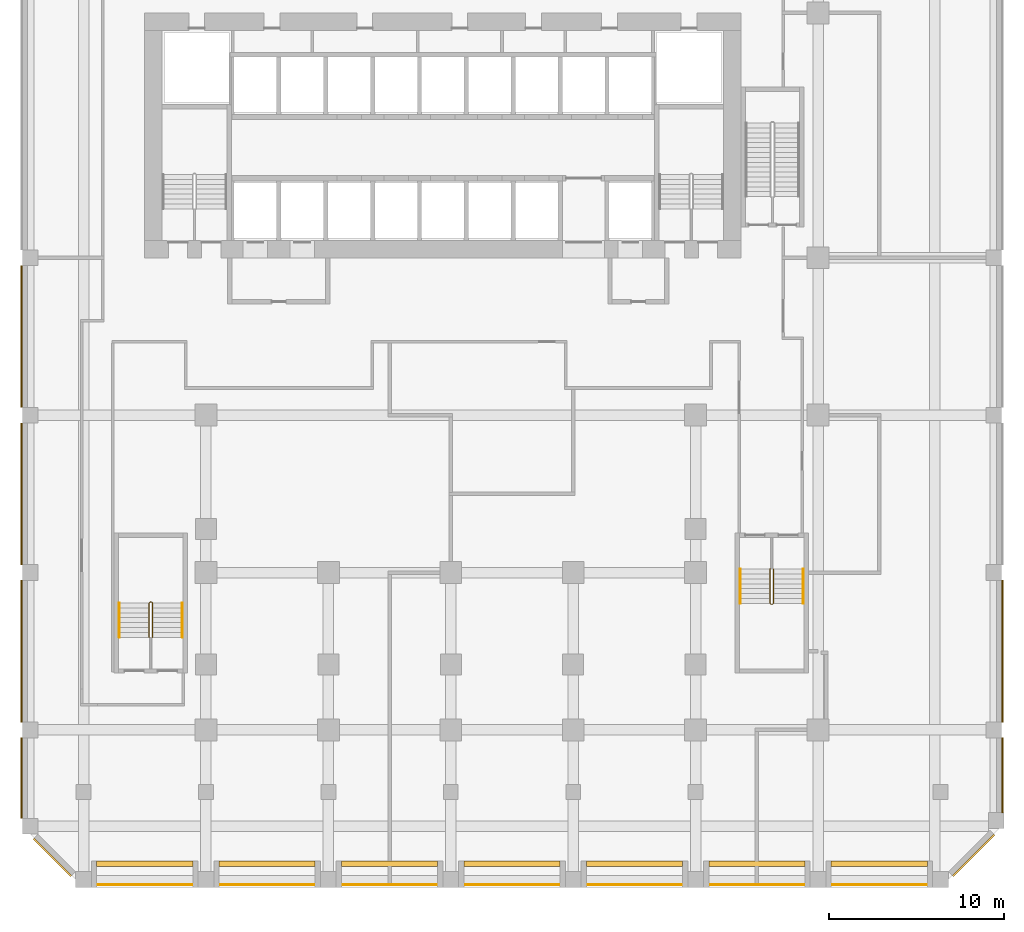
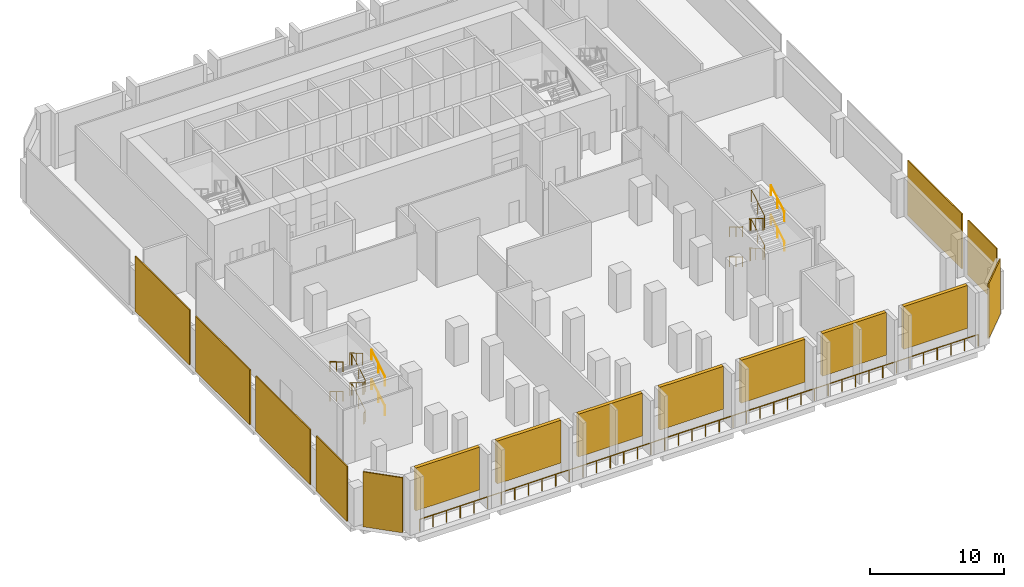
# One storey, part 8 of 10: 15 shading devices, 11 railings.
"""IFC4 building model written with IfcOpenShell, lengths in metres."""

from ifc_helpers import new_model, si_unit, direction, frame, origin, origin_2d, place, context, subcontext, project, spatial, rectangle, circle, extrude, source, transform, mapped, material, layer, layer_set, type_object, element, save


model = new_model("IFC4")

# Units and contexts
model_context = context("Model", 3, precision=1e-05, world=origin(), true_north=direction((0.0, 1.0)))
body_context = subcontext(model_context, "Body", "Model", "MODEL_VIEW")
ifc_project = project(units=[si_unit("LENGTHUNIT", "METRE"), si_unit("AREAUNIT", "SQUARE_METRE"), si_unit("VOLUMEUNIT", "CUBIC_METRE"), si_unit("PLANEANGLEUNIT", "RADIAN"), si_unit("MASSUNIT", "GRAM", prefix="KILO")], contexts=[model_context])

# Site, building, storey
site_placement = place(None, origin())
site = spatial("IfcSite", under=ifc_project, at=site_placement, CompositionType="ELEMENT")
building_placement = place(site_placement, origin())
building = spatial("IfcBuilding", under=site, at=building_placement, Name="Kilnfold Tower and Market Hall", CompositionType="ELEMENT")
storey_placement = place(building_placement, frame((0.0, 0.0, 95.199951171875)))
storey = spatial("IfcBuildingStorey", under=building, at=storey_placement, Name="L22 Refuge Transfer Level", CompositionType="ELEMENT", Elevation=95.199951171875)

# Railings
ifc_material_1 = material(Name="Stainless steel 316", Category="steel")
railing_type_1 = type_object("IfcRailingType", Name="CORE STAIR GUARD 1100", PredefinedType="GUARDRAIL", material=ifc_material_1)
railing_1_placement = place(storey_placement, frame((-15.699951171875, -13.75, 0.0)))
element("IfcRailing", 1, at=railing_1_placement, inside=storey, type_object=railing_type_1, Name="L22 Refuge Transfer Level ST3 stair guard 1", PredefinedType="GUARDRAIL", context=body_context, shape_type="SweptSolid", body=[
    extrude(circle(Radius=0.02392578125, at=origin_2d()), frame((0.0, 0.0, 1.076171875), z_axis=(1.0, 0.0, 0.0), x_axis=(0.0, 1.0, 0.0)), (0.0, 0.0, 1.0), 0.099853515625),
    extrude(circle(Radius=0.02392578125, at=origin_2d()), frame((0.099853515625, 0.0, 1.076171875), z_axis=(0.273232802156, 0.273232802156, 0.922327312645), x_axis=(-0.707106781187, 0.707106781187, 0.0)), (0.0, 0.0, 1.0), 0.18310546875),
    extrude(circle(Radius=0.02392578125, at=origin_2d()), frame((0.14990234375, 0.050048828125, 1.2451171875), z_axis=(0.0, 0.856493463811, 0.516157869696), x_axis=(-1.0, 0.0, 0.0)), (0.0, 0.0, 1.0), 2.288330078125),
    extrude(circle(Radius=0.02392578125, at=origin_2d()), frame((0.14990234375, 2.010009765625, 2.42626953125), z_axis=(-0.707106781187, 0.707106781187, 0.0), x_axis=(-0.707106781187, -0.707106781187, 0.0)), (0.0, 0.0, 1.0), 0.07080078125),
    extrude(circle(Radius=0.02392578125, at=origin_2d()), frame((0.099853515625, 2.06005859375, 2.42626953125), z_axis=(-1.0, 0.0, 0.0), x_axis=(0.0, -1.0, 0.0)), (0.0, 0.0, 1.0), 0.099853515625),
    extrude(circle(Radius=0.02392578125, at=origin_2d()), frame((0.0, 2.06005859375, 2.42626953125), z_axis=(-0.273569069059, -0.273569069059, 0.922127935218), x_axis=(0.707106781187, -0.707106781187, 0.0)), (0.0, 0.0, 1.0), 0.182861328125),
    extrude(circle(Radius=0.02392578125, at=origin_2d()), frame((-0.050048828125, 2.010009765625, 2.5947265625), z_axis=(0.0, -0.856493463811, 0.516157869696), x_axis=(1.0, 0.0, 0.0)), (0.0, 0.0, 1.0), 2.288330078125),
    extrude(circle(Radius=0.02392578125, at=origin_2d()), frame((-0.050048828125, 0.050048828125, 3.77587890625), z_axis=(0.707106781187, -0.707106781187, 0.0), x_axis=(0.707106781187, 0.707106781187, 0.0)), (0.0, 0.0, 1.0), 0.07080078125),
    extrude(circle(Radius=0.02392578125, at=origin_2d()), frame((0.0, 0.0, 3.77587890625), z_axis=(1.0, 0.0, 0.0), x_axis=(0.0, 1.0, 0.0)), (0.0, 0.0, 1.0), 0.099853515625),
    extrude(circle(Radius=0.02392578125, at=origin_2d()), frame((0.099853515625, 0.0, 3.77587890625), z_axis=(0.273569069059, 0.273569069059, 0.922127935218), x_axis=(-0.707106781187, 0.707106781187, 0.0)), (0.0, 0.0, 1.0), 0.182861328125),
    extrude(circle(Radius=0.02392578125, at=origin_2d()), frame((0.14990234375, 0.050048828125, 3.94482421875), z_axis=(0.0, 0.856446297458, 0.516236127728), x_axis=(-1.0, 0.0, 0.0)), (0.0, 0.0, 1.0), 2.28857421875),
    extrude(circle(Radius=0.02392578125, at=origin_2d()), frame((0.14990234375, 2.010009765625, 5.1259765625), z_axis=(-0.707106781187, 0.707106781187, 0.0), x_axis=(-0.707106781187, -0.707106781187, 0.0)), (0.0, 0.0, 1.0), 0.07080078125),
    extrude(circle(Radius=0.02392578125, at=origin_2d()), frame((0.099853515625, 2.06005859375, 5.1259765625), z_axis=(-1.0, 0.0, 0.0), x_axis=(0.0, -1.0, 0.0)), (0.0, 0.0, 1.0), 0.099853515625),
    extrude(circle(Radius=0.02392578125, at=origin_2d()), frame((0.0, 2.06005859375, 5.1259765625), z_axis=(-0.273569069059, -0.273569069059, 0.922127935218), x_axis=(0.707106781187, -0.707106781187, 0.0)), (0.0, 0.0, 1.0), 0.182861328125),
    extrude(circle(Radius=0.02392578125, at=origin_2d()), frame((-0.050048828125, 2.010009765625, 5.294921875), z_axis=(0.0, -0.856446297458, 0.516236127728), x_axis=(1.0, 0.0, 0.0)), (0.0, 0.0, 1.0), 2.28857421875),
    extrude(circle(Radius=0.02099609375, at=origin_2d()), origin(), (0.0, 0.0, 1.0), 1.052001953125),
    extrude(circle(Radius=0.02099609375, at=origin_2d()), frame((0.099853515625, 0.0, 0.0)), (0.0, 0.0, 1.0), 1.052001953125),
    extrude(circle(Radius=0.02099609375, at=origin_2d()), frame((0.14990234375, 0.050048828125, 0.1689453125)), (0.0, 0.0, 1.0), 1.052001953125),
    extrude(circle(Radius=0.02099609375, at=origin_2d()), frame((0.14990234375, 1.030029296875, 0.759521484375)), (0.0, 0.0, 1.0), 1.052001953125),
    extrude(circle(Radius=0.02099609375, at=origin_2d()), frame((0.14990234375, 2.010009765625, 1.35009765625)), (0.0, 0.0, 1.0), 1.052001953125),
    extrude(circle(Radius=0.02099609375, at=origin_2d()), frame((0.099853515625, 2.06005859375, 1.35009765625)), (0.0, 0.0, 1.0), 1.052001953125),
    extrude(circle(Radius=0.02099609375, at=origin_2d()), frame((0.0, 2.06005859375, 1.35009765625)), (0.0, 0.0, 1.0), 1.052001953125),
    extrude(circle(Radius=0.02099609375, at=origin_2d()), frame((-0.050048828125, 2.010009765625, 1.518798828125)), (0.0, 0.0, 1.0), 1.052001953125),
    extrude(circle(Radius=0.02099609375, at=origin_2d()), frame((-0.050048828125, 1.030029296875, 2.109375)), (0.0, 0.0, 1.0), 1.052001953125),
    extrude(circle(Radius=0.02099609375, at=origin_2d()), frame((-0.050048828125, 0.050048828125, 2.699951171875)), (0.0, 0.0, 1.0), 1.052001953125),
    extrude(circle(Radius=0.02099609375, at=origin_2d()), frame((0.0, 0.0, 2.699951171875)), (0.0, 0.0, 1.0), 1.052001953125),
    extrude(circle(Radius=0.02099609375, at=origin_2d()), frame((0.099853515625, 0.0, 2.699951171875)), (0.0, 0.0, 1.0), 1.052001953125),
    extrude(circle(Radius=0.02099609375, at=origin_2d()), frame((0.14990234375, 0.050048828125, 2.86865234375)), (0.0, 0.0, 1.0), 1.052001953125),
    extrude(circle(Radius=0.02099609375, at=origin_2d()), frame((0.14990234375, 1.030029296875, 3.45947265625)), (0.0, 0.0, 1.0), 1.052001953125),
    extrude(circle(Radius=0.02099609375, at=origin_2d()), frame((0.14990234375, 2.010009765625, 4.050048828125)), (0.0, 0.0, 1.0), 1.052001953125),
    extrude(circle(Radius=0.02099609375, at=origin_2d()), frame((0.099853515625, 2.06005859375, 4.050048828125)), (0.0, 0.0, 1.0), 1.052001953125),
    extrude(circle(Radius=0.02099609375, at=origin_2d()), frame((0.0, 2.06005859375, 4.050048828125)), (0.0, 0.0, 1.0), 1.052001953125),
    extrude(circle(Radius=0.02099609375, at=origin_2d()), frame((-0.050048828125, 2.010009765625, 4.21875)), (0.0, 0.0, 1.0), 1.052001953125),
    extrude(circle(Radius=0.02099609375, at=origin_2d()), frame((-0.050048828125, 1.030029296875, 4.8095703125)), (0.0, 0.0, 1.0), 1.052001953125),
    extrude(circle(Radius=0.02099609375, at=origin_2d()), frame((-0.050048828125, 0.050048828125, 5.400146484375)), (0.0, 0.0, 1.0), 1.052001953125),
])
railing_2_placement = place(storey_placement, frame((19.89990234375, -9.75, 0.0)))
element("IfcRailing", 2, at=railing_2_placement, inside=storey, type_object=railing_type_1, Name="L22 Refuge Transfer Level ST4 stair guard 1", PredefinedType="GUARDRAIL", context=body_context, shape_type="SweptSolid", body=[
    extrude(circle(Radius=0.02392578125, at=origin_2d()), frame((0.0, 0.0, 1.076171875), z_axis=(-1.0, 0.0, 0.0), x_axis=(0.0, -1.0, 0.0)), (0.0, 0.0, 1.0), 0.099853515625),
    extrude(circle(Radius=0.02392578125, at=origin_2d()), frame((-0.099853515625, 0.0, 1.076171875), z_axis=(-0.273232802156, -0.273232802156, 0.922327312645), x_axis=(0.707106781187, -0.707106781187, 0.0)), (0.0, 0.0, 1.0), 0.18310546875),
    extrude(circle(Radius=0.02392578125, at=origin_2d()), frame((-0.14990234375, -0.050048828125, 1.2451171875), z_axis=(0.0, -0.856493463811, 0.516157869696), x_axis=(1.0, 0.0, 0.0)), (0.0, 0.0, 1.0), 2.288330078125),
    extrude(circle(Radius=0.02392578125, at=origin_2d()), frame((-0.14990234375, -2.010009765625, 2.42626953125), z_axis=(0.707106781187, -0.707106781187, 0.0), x_axis=(0.707106781187, 0.707106781187, 0.0)), (0.0, 0.0, 1.0), 0.07080078125),
    extrude(circle(Radius=0.02392578125, at=origin_2d()), frame((-0.099853515625, -2.06005859375, 2.42626953125), z_axis=(1.0, 0.0, 0.0), x_axis=(0.0, 1.0, 0.0)), (0.0, 0.0, 1.0), 0.099853515625),
    extrude(circle(Radius=0.02392578125, at=origin_2d()), frame((0.0, -2.06005859375, 2.42626953125), z_axis=(0.273569069059, 0.273569069059, 0.922127935218), x_axis=(-0.707106781187, 0.707106781187, 0.0)), (0.0, 0.0, 1.0), 0.182861328125),
    extrude(circle(Radius=0.02392578125, at=origin_2d()), frame((0.050048828125, -2.010009765625, 2.5947265625), z_axis=(0.0, 0.856493463811, 0.516157869696), x_axis=(-1.0, 0.0, 0.0)), (0.0, 0.0, 1.0), 2.288330078125),
    extrude(circle(Radius=0.02392578125, at=origin_2d()), frame((0.050048828125, -0.050048828125, 3.77587890625), z_axis=(-0.707106781187, 0.707106781187, 0.0), x_axis=(-0.707106781187, -0.707106781187, 0.0)), (0.0, 0.0, 1.0), 0.07080078125),
    extrude(circle(Radius=0.02392578125, at=origin_2d()), frame((0.0, 0.0, 3.77587890625), z_axis=(-1.0, 0.0, 0.0), x_axis=(0.0, -1.0, 0.0)), (0.0, 0.0, 1.0), 0.099853515625),
    extrude(circle(Radius=0.02392578125, at=origin_2d()), frame((-0.099853515625, 0.0, 3.77587890625), z_axis=(-0.273569069059, -0.273569069059, 0.922127935218), x_axis=(0.707106781187, -0.707106781187, 0.0)), (0.0, 0.0, 1.0), 0.182861328125),
    extrude(circle(Radius=0.02392578125, at=origin_2d()), frame((-0.14990234375, -0.050048828125, 3.94482421875), z_axis=(0.0, -0.856446297458, 0.516236127728), x_axis=(1.0, 0.0, 0.0)), (0.0, 0.0, 1.0), 2.28857421875),
    extrude(circle(Radius=0.02392578125, at=origin_2d()), frame((-0.14990234375, -2.010009765625, 5.1259765625), z_axis=(0.707106781187, -0.707106781187, 0.0), x_axis=(0.707106781187, 0.707106781187, 0.0)), (0.0, 0.0, 1.0), 0.07080078125),
    extrude(circle(Radius=0.02392578125, at=origin_2d()), frame((-0.099853515625, -2.06005859375, 5.1259765625), z_axis=(1.0, 0.0, 0.0), x_axis=(0.0, 1.0, 0.0)), (0.0, 0.0, 1.0), 0.099853515625),
    extrude(circle(Radius=0.02392578125, at=origin_2d()), frame((0.0, -2.06005859375, 5.1259765625), z_axis=(0.273569069059, 0.273569069059, 0.922127935218), x_axis=(-0.707106781187, 0.707106781187, 0.0)), (0.0, 0.0, 1.0), 0.182861328125),
    extrude(circle(Radius=0.02392578125, at=origin_2d()), frame((0.050048828125, -2.010009765625, 5.294921875), z_axis=(0.0, 0.856446297458, 0.516236127728), x_axis=(-1.0, 0.0, 0.0)), (0.0, 0.0, 1.0), 2.28857421875),
    extrude(circle(Radius=0.02099609375, at=origin_2d()), origin(), (0.0, 0.0, 1.0), 1.052001953125),
    extrude(circle(Radius=0.02099609375, at=origin_2d()), frame((-0.099853515625, 0.0, 0.0)), (0.0, 0.0, 1.0), 1.052001953125),
    extrude(circle(Radius=0.02099609375, at=origin_2d()), frame((-0.14990234375, -0.050048828125, 0.1689453125)), (0.0, 0.0, 1.0), 1.052001953125),
    extrude(circle(Radius=0.02099609375, at=origin_2d()), frame((-0.14990234375, -1.030029296875, 0.759521484375)), (0.0, 0.0, 1.0), 1.052001953125),
    extrude(circle(Radius=0.02099609375, at=origin_2d()), frame((-0.14990234375, -2.010009765625, 1.35009765625)), (0.0, 0.0, 1.0), 1.052001953125),
    extrude(circle(Radius=0.02099609375, at=origin_2d()), frame((-0.099853515625, -2.06005859375, 1.35009765625)), (0.0, 0.0, 1.0), 1.052001953125),
    extrude(circle(Radius=0.02099609375, at=origin_2d()), frame((0.0, -2.06005859375, 1.35009765625)), (0.0, 0.0, 1.0), 1.052001953125),
    extrude(circle(Radius=0.02099609375, at=origin_2d()), frame((0.050048828125, -2.010009765625, 1.518798828125)), (0.0, 0.0, 1.0), 1.052001953125),
    extrude(circle(Radius=0.02099609375, at=origin_2d()), frame((0.050048828125, -1.030029296875, 2.109375)), (0.0, 0.0, 1.0), 1.052001953125),
    extrude(circle(Radius=0.02099609375, at=origin_2d()), frame((0.050048828125, -0.050048828125, 2.699951171875)), (0.0, 0.0, 1.0), 1.052001953125),
    extrude(circle(Radius=0.02099609375, at=origin_2d()), frame((0.0, 0.0, 2.699951171875)), (0.0, 0.0, 1.0), 1.052001953125),
    extrude(circle(Radius=0.02099609375, at=origin_2d()), frame((-0.099853515625, 0.0, 2.699951171875)), (0.0, 0.0, 1.0), 1.052001953125),
    extrude(circle(Radius=0.02099609375, at=origin_2d()), frame((-0.14990234375, -0.050048828125, 2.86865234375)), (0.0, 0.0, 1.0), 1.052001953125),
    extrude(circle(Radius=0.02099609375, at=origin_2d()), frame((-0.14990234375, -1.030029296875, 3.45947265625)), (0.0, 0.0, 1.0), 1.052001953125),
    extrude(circle(Radius=0.02099609375, at=origin_2d()), frame((-0.14990234375, -2.010009765625, 4.050048828125)), (0.0, 0.0, 1.0), 1.052001953125),
    extrude(circle(Radius=0.02099609375, at=origin_2d()), frame((-0.099853515625, -2.06005859375, 4.050048828125)), (0.0, 0.0, 1.0), 1.052001953125),
    extrude(circle(Radius=0.02099609375, at=origin_2d()), frame((0.0, -2.06005859375, 4.050048828125)), (0.0, 0.0, 1.0), 1.052001953125),
    extrude(circle(Radius=0.02099609375, at=origin_2d()), frame((0.050048828125, -2.010009765625, 4.21875)), (0.0, 0.0, 1.0), 1.052001953125),
    extrude(circle(Radius=0.02099609375, at=origin_2d()), frame((0.050048828125, -1.030029296875, 4.8095703125)), (0.0, 0.0, 1.0), 1.052001953125),
    extrude(circle(Radius=0.02099609375, at=origin_2d()), frame((0.050048828125, -0.050048828125, 5.400146484375)), (0.0, 0.0, 1.0), 1.052001953125),
])
ifc_material_2 = material(Name="Stainless steel 316", Category="steel")
railing_type_2 = type_object("IfcRailingType", Name="CORE STAIR HANDRAIL 900", PredefinedType="HANDRAIL", material=ifc_material_2)
railing_3_placement = place(storey_placement, frame((-13.85009765625, -13.699951171875, 0.1689453125)))
element("IfcRailing", 3, at=railing_3_placement, inside=storey, type_object=railing_type_2, Name="L22 Refuge Transfer Level ST3 stair handrail 1", PredefinedType="HANDRAIL", context=body_context, shape_type="SweptSolid", body=[
    extrude(circle(Radius=0.02392578125, at=origin_2d()), frame((0.0, 0.0, 0.8759765625), z_axis=(0.0, 0.856493463811, 0.516157869696), x_axis=(-1.0, 0.0, 0.0)), (0.0, 0.0, 1.0), 2.288330078125),
    extrude(circle(Radius=0.02099609375, at=origin_2d()), origin(), (0.0, 0.0, 1.0), 0.851806640625),
    extrude(circle(Radius=0.02099609375, at=origin_2d()), frame((0.0, 0.97998046875, 0.590576171875)), (0.0, 0.0, 1.0), 0.851806640625),
    extrude(circle(Radius=0.02099609375, at=origin_2d()), frame((0.0, 1.9599609375, 1.18115234375)), (0.0, 0.0, 1.0), 0.851806640625),
])
railing_4_placement = place(storey_placement, frame((-17.449951171875, -11.739990234375, 1.518798828125)))
element("IfcRailing", 4, at=railing_4_placement, inside=storey, type_object=railing_type_2, Name="L22 Refuge Transfer Level ST3 stair handrail 2", PredefinedType="HANDRAIL", context=body_context, shape_type="SweptSolid", body=[
    extrude(circle(Radius=0.02392578125, at=origin_2d()), frame((0.0, 0.0, 0.8759765625), z_axis=(0.0, -0.856493463811, 0.516157869696), x_axis=(1.0, 0.0, 0.0)), (0.0, 0.0, 1.0), 2.288330078125),
    extrude(circle(Radius=0.02099609375, at=origin_2d()), origin(), (0.0, 0.0, 1.0), 0.851806640625),
    extrude(circle(Radius=0.02099609375, at=origin_2d()), frame((0.0, -0.97998046875, 0.590576171875)), (0.0, 0.0, 1.0), 0.851806640625),
    extrude(circle(Radius=0.02099609375, at=origin_2d()), frame((0.0, -1.9599609375, 1.18115234375)), (0.0, 0.0, 1.0), 0.851806640625),
])
railing_5_placement = place(storey_placement, frame((-13.85009765625, -13.699951171875, 2.86865234375)))
element("IfcRailing", 5, at=railing_5_placement, inside=storey, type_object=railing_type_2, Name="L22 Refuge Transfer Level ST3 stair handrail 3", PredefinedType="HANDRAIL", context=body_context, shape_type="SweptSolid", body=[
    extrude(circle(Radius=0.02392578125, at=origin_2d()), frame((0.0, 0.0, 0.8759765625), z_axis=(0.0, 0.856446297458, 0.516236127728), x_axis=(-1.0, 0.0, 0.0)), (0.0, 0.0, 1.0), 2.28857421875),
    extrude(circle(Radius=0.02099609375, at=origin_2d()), origin(), (0.0, 0.0, 1.0), 0.851806640625),
    extrude(circle(Radius=0.02099609375, at=origin_2d()), frame((0.0, 0.97998046875, 0.5908203125)), (0.0, 0.0, 1.0), 0.851806640625),
    extrude(circle(Radius=0.02099609375, at=origin_2d()), frame((0.0, 1.9599609375, 1.181396484375)), (0.0, 0.0, 1.0), 0.851806640625),
])
railing_6_placement = place(storey_placement, frame((-17.449951171875, -11.739990234375, 4.21875)))
element("IfcRailing", 6, at=railing_6_placement, inside=storey, type_object=railing_type_2, Name="L22 Refuge Transfer Level ST3 stair handrail 4", PredefinedType="HANDRAIL", context=body_context, shape_type="SweptSolid", body=[
    extrude(circle(Radius=0.02392578125, at=origin_2d()), frame((0.0, 0.0, 0.8759765625), z_axis=(0.0, -0.856446297458, 0.516236127728), x_axis=(1.0, 0.0, 0.0)), (0.0, 0.0, 1.0), 2.28857421875),
    extrude(circle(Radius=0.02099609375, at=origin_2d()), origin(), (0.0, 0.0, 1.0), 0.851806640625),
    extrude(circle(Radius=0.02099609375, at=origin_2d()), frame((0.0, -0.97998046875, 0.5908203125)), (0.0, 0.0, 1.0), 0.851806640625),
    extrude(circle(Radius=0.02099609375, at=origin_2d()), frame((0.0, -1.9599609375, 1.181396484375)), (0.0, 0.0, 1.0), 0.851806640625),
])
railing_7_placement = place(storey_placement, frame((18.050048828125, -9.800048828125, 0.1689453125)))
element("IfcRailing", 7, at=railing_7_placement, inside=storey, type_object=railing_type_2, Name="L22 Refuge Transfer Level ST4 stair handrail 1", PredefinedType="HANDRAIL", context=body_context, shape_type="SweptSolid", body=[
    extrude(circle(Radius=0.02392578125, at=origin_2d()), frame((0.0, 0.0, 0.8759765625), z_axis=(0.0, -0.856493463811, 0.516157869696), x_axis=(1.0, 0.0, 0.0)), (0.0, 0.0, 1.0), 2.288330078125),
    extrude(circle(Radius=0.02099609375, at=origin_2d()), origin(), (0.0, 0.0, 1.0), 0.851806640625),
    extrude(circle(Radius=0.02099609375, at=origin_2d()), frame((0.0, -0.97998046875, 0.590576171875)), (0.0, 0.0, 1.0), 0.851806640625),
    extrude(circle(Radius=0.02099609375, at=origin_2d()), frame((0.0, -1.9599609375, 1.18115234375)), (0.0, 0.0, 1.0), 0.851806640625),
])
railing_8_placement = place(storey_placement, frame((21.64990234375, -11.760009765625, 1.518798828125)))
element("IfcRailing", 8, at=railing_8_placement, inside=storey, type_object=railing_type_2, Name="L22 Refuge Transfer Level ST4 stair handrail 2", PredefinedType="HANDRAIL", context=body_context, shape_type="SweptSolid", body=[
    extrude(circle(Radius=0.02392578125, at=origin_2d()), frame((0.0, 0.0, 0.8759765625), z_axis=(0.0, 0.856493463811, 0.516157869696), x_axis=(-1.0, 0.0, 0.0)), (0.0, 0.0, 1.0), 2.288330078125),
    extrude(circle(Radius=0.02099609375, at=origin_2d()), origin(), (0.0, 0.0, 1.0), 0.851806640625),
    extrude(circle(Radius=0.02099609375, at=origin_2d()), frame((0.0, 0.97998046875, 0.590576171875)), (0.0, 0.0, 1.0), 0.851806640625),
    extrude(circle(Radius=0.02099609375, at=origin_2d()), frame((0.0, 1.9599609375, 1.18115234375)), (0.0, 0.0, 1.0), 0.851806640625),
])
railing_9_placement = place(storey_placement, frame((18.050048828125, -9.800048828125, 2.86865234375)))
element("IfcRailing", 9, at=railing_9_placement, inside=storey, type_object=railing_type_2, Name="L22 Refuge Transfer Level ST4 stair handrail 3", PredefinedType="HANDRAIL", context=body_context, shape_type="SweptSolid", body=[
    extrude(circle(Radius=0.02392578125, at=origin_2d()), frame((0.0, 0.0, 0.8759765625), z_axis=(0.0, -0.856446297458, 0.516236127728), x_axis=(1.0, 0.0, 0.0)), (0.0, 0.0, 1.0), 2.28857421875),
    extrude(circle(Radius=0.02099609375, at=origin_2d()), origin(), (0.0, 0.0, 1.0), 0.851806640625),
    extrude(circle(Radius=0.02099609375, at=origin_2d()), frame((0.0, -0.97998046875, 0.5908203125)), (0.0, 0.0, 1.0), 0.851806640625),
    extrude(circle(Radius=0.02099609375, at=origin_2d()), frame((0.0, -1.9599609375, 1.181396484375)), (0.0, 0.0, 1.0), 0.851806640625),
])
railing_10_placement = place(storey_placement, frame((21.64990234375, -11.760009765625, 4.21875)))
element("IfcRailing", 10, at=railing_10_placement, inside=storey, type_object=railing_type_2, Name="L22 Refuge Transfer Level ST4 stair handrail 4", PredefinedType="HANDRAIL", context=body_context, shape_type="SweptSolid", body=[
    extrude(circle(Radius=0.02392578125, at=origin_2d()), frame((0.0, 0.0, 0.8759765625), z_axis=(0.0, 0.856446297458, 0.516236127728), x_axis=(-1.0, 0.0, 0.0)), (0.0, 0.0, 1.0), 2.28857421875),
    extrude(circle(Radius=0.02099609375, at=origin_2d()), origin(), (0.0, 0.0, 1.0), 0.851806640625),
    extrude(circle(Radius=0.02099609375, at=origin_2d()), frame((0.0, 0.97998046875, 0.5908203125)), (0.0, 0.0, 1.0), 0.851806640625),
    extrude(circle(Radius=0.02099609375, at=origin_2d()), frame((0.0, 1.9599609375, 1.181396484375)), (0.0, 0.0, 1.0), 0.851806640625),
])
ifc_material_3 = material(Name="Stainless steel and laminated glass", Category="steel")
railing_type_3 = type_object("IfcRailingType", Name="GUARD 1100", PredefinedType="GUARDRAIL", material=ifc_material_3)
railing_11_placement = place(storey_placement, frame((-19.050048828125, -27.85009765625, 0.0)))
element("IfcRailing", 11, at=railing_11_placement, inside=storey, type_object=railing_type_3, Name="Guard plant edge S L22", PredefinedType="GUARDRAIL", context=body_context, shape_type="SweptSolid", body=[
    extrude(circle(Radius=0.02490234375, at=origin_2d()), frame((0.0, 0.0, 1.0751953125), z_axis=(1.0, 0.0, 0.0), x_axis=(0.0, 1.0, 0.0)), (0.0, 0.0, 1.0), 48.10009765625),
    extrude(circle(Radius=0.02490234375, at=origin_2d()), origin(), (0.0, 0.0, 1.0), 1.050048828125),
    extrude(circle(Radius=0.02490234375, at=origin_2d()), frame((1.173095703125, 0.0, 0.0)), (0.0, 0.0, 1.0), 1.050048828125),
    extrude(circle(Radius=0.02490234375, at=origin_2d()), frame((2.346435546875, 0.0, 0.0)), (0.0, 0.0, 1.0), 1.050048828125),
    extrude(circle(Radius=0.02490234375, at=origin_2d()), frame((3.51953125, 0.0, 0.0)), (0.0, 0.0, 1.0), 1.050048828125),
    extrude(circle(Radius=0.02490234375, at=origin_2d()), frame((4.692626953125, 0.0, 0.0)), (0.0, 0.0, 1.0), 1.050048828125),
    extrude(circle(Radius=0.02490234375, at=origin_2d()), frame((5.865966796875, 0.0, 0.0)), (0.0, 0.0, 1.0), 1.050048828125),
    extrude(circle(Radius=0.02490234375, at=origin_2d()), frame((7.0390625, 0.0, 0.0)), (0.0, 0.0, 1.0), 1.050048828125),
    extrude(circle(Radius=0.02490234375, at=origin_2d()), frame((8.212158203125, 0.0, 0.0)), (0.0, 0.0, 1.0), 1.050048828125),
    extrude(circle(Radius=0.02490234375, at=origin_2d()), frame((9.385498046875, 0.0, 0.0)), (0.0, 0.0, 1.0), 1.050048828125),
    extrude(circle(Radius=0.02490234375, at=origin_2d()), frame((10.55859375, 0.0, 0.0)), (0.0, 0.0, 1.0), 1.050048828125),
    extrude(circle(Radius=0.02490234375, at=origin_2d()), frame((11.731689453125, 0.0, 0.0)), (0.0, 0.0, 1.0), 1.050048828125),
    extrude(circle(Radius=0.02490234375, at=origin_2d()), frame((12.90478515625, 0.0, 0.0)), (0.0, 0.0, 1.0), 1.050048828125),
    extrude(circle(Radius=0.02490234375, at=origin_2d()), frame((14.078125, 0.0, 0.0)), (0.0, 0.0, 1.0), 1.050048828125),
    extrude(circle(Radius=0.02490234375, at=origin_2d()), frame((15.251220703125, 0.0, 0.0)), (0.0, 0.0, 1.0), 1.050048828125),
    extrude(circle(Radius=0.02490234375, at=origin_2d()), frame((16.42431640625, 0.0, 0.0)), (0.0, 0.0, 1.0), 1.050048828125),
    extrude(circle(Radius=0.02490234375, at=origin_2d()), frame((17.59765625, 0.0, 0.0)), (0.0, 0.0, 1.0), 1.050048828125),
    extrude(circle(Radius=0.02490234375, at=origin_2d()), frame((18.770751953125, 0.0, 0.0)), (0.0, 0.0, 1.0), 1.050048828125),
    extrude(circle(Radius=0.02490234375, at=origin_2d()), frame((19.94384765625, 0.0, 0.0)), (0.0, 0.0, 1.0), 1.050048828125),
    extrude(circle(Radius=0.02490234375, at=origin_2d()), frame((21.1171875, 0.0, 0.0)), (0.0, 0.0, 1.0), 1.050048828125),
    extrude(circle(Radius=0.02490234375, at=origin_2d()), frame((22.290283203125, 0.0, 0.0)), (0.0, 0.0, 1.0), 1.050048828125),
    extrude(circle(Radius=0.02490234375, at=origin_2d()), frame((23.46337890625, 0.0, 0.0)), (0.0, 0.0, 1.0), 1.050048828125),
    extrude(circle(Radius=0.02490234375, at=origin_2d()), frame((24.63671875, 0.0, 0.0)), (0.0, 0.0, 1.0), 1.050048828125),
    extrude(circle(Radius=0.02490234375, at=origin_2d()), frame((25.809814453125, 0.0, 0.0)), (0.0, 0.0, 1.0), 1.050048828125),
    extrude(circle(Radius=0.02490234375, at=origin_2d()), frame((26.98291015625, 0.0, 0.0)), (0.0, 0.0, 1.0), 1.050048828125),
    extrude(circle(Radius=0.02490234375, at=origin_2d()), frame((28.15625, 0.0, 0.0)), (0.0, 0.0, 1.0), 1.050048828125),
    extrude(circle(Radius=0.02490234375, at=origin_2d()), frame((29.329345703125, 0.0, 0.0)), (0.0, 0.0, 1.0), 1.050048828125),
    extrude(circle(Radius=0.02490234375, at=origin_2d()), frame((30.50244140625, 0.0, 0.0)), (0.0, 0.0, 1.0), 1.050048828125),
    extrude(circle(Radius=0.02490234375, at=origin_2d()), frame((31.67578125, 0.0, 0.0)), (0.0, 0.0, 1.0), 1.050048828125),
    extrude(circle(Radius=0.02490234375, at=origin_2d()), frame((32.848876953125, 0.0, 0.0)), (0.0, 0.0, 1.0), 1.050048828125),
    extrude(circle(Radius=0.02490234375, at=origin_2d()), frame((34.02197265625, 0.0, 0.0)), (0.0, 0.0, 1.0), 1.050048828125),
    extrude(circle(Radius=0.02490234375, at=origin_2d()), frame((35.1953125, 0.0, 0.0)), (0.0, 0.0, 1.0), 1.050048828125),
    extrude(circle(Radius=0.02490234375, at=origin_2d()), frame((36.368408203125, 0.0, 0.0)), (0.0, 0.0, 1.0), 1.050048828125),
    extrude(circle(Radius=0.02490234375, at=origin_2d()), frame((37.54150390625, 0.0, 0.0)), (0.0, 0.0, 1.0), 1.050048828125),
    extrude(circle(Radius=0.02490234375, at=origin_2d()), frame((38.714599609375, 0.0, 0.0)), (0.0, 0.0, 1.0), 1.050048828125),
    extrude(circle(Radius=0.02490234375, at=origin_2d()), frame((39.887939453125, 0.0, 0.0)), (0.0, 0.0, 1.0), 1.050048828125),
    extrude(circle(Radius=0.02490234375, at=origin_2d()), frame((41.06103515625, 0.0, 0.0)), (0.0, 0.0, 1.0), 1.050048828125),
    extrude(circle(Radius=0.02490234375, at=origin_2d()), frame((42.234130859375, 0.0, 0.0)), (0.0, 0.0, 1.0), 1.050048828125),
    extrude(circle(Radius=0.02490234375, at=origin_2d()), frame((43.407470703125, 0.0, 0.0)), (0.0, 0.0, 1.0), 1.050048828125),
    extrude(circle(Radius=0.02490234375, at=origin_2d()), frame((44.58056640625, 0.0, 0.0)), (0.0, 0.0, 1.0), 1.050048828125),
    extrude(circle(Radius=0.02490234375, at=origin_2d()), frame((45.753662109375, 0.0, 0.0)), (0.0, 0.0, 1.0), 1.050048828125),
    extrude(circle(Radius=0.02490234375, at=origin_2d()), frame((46.927001953125, 0.0, 0.0)), (0.0, 0.0, 1.0), 1.050048828125),
    extrude(circle(Radius=0.02490234375, at=origin_2d()), frame((48.10009765625, 0.0, 0.0)), (0.0, 0.0, 1.0), 1.050048828125),
])

# Shading devices
ifc_material_4 = material(Name="Anodised aluminium", Category="aluminium")
shading_device_type_1 = type_object("IfcShadingDeviceType", Name="LOUVRE", PredefinedType="JALOUSIE", material=ifc_material_4)
shared_shape_1 = source(origin(), body_context, "Body", "SweptSolid", [
    extrude(rectangle(XDim=5.5, YDim=0.300048828125, at=origin_2d()), origin(), (0.0, 0.0, 1.0), 3.89990234375),
])
for number, where, z_axis, x_axis, name in (
    (12, (-16.0, -26.64990234375, 1.10009765625), (0.0, 0.0, 1.0), (1.0, 0.0, 0.0), "Plant louvre L22 S"),
    (13, (-9.0, -26.64990234375, 1.10009765625), (0.0, 0.0, 1.0), (1.0, 0.0, 0.0), "Plant louvre L22 S"),
    (14, (-2.0, -26.64990234375, 1.10009765625), (0.0, 0.0, 1.0), (1.0, 0.0, 0.0), "Plant louvre L22 S"),
    (15, (5.0, -26.64990234375, 1.10009765625), (0.0, 0.0, 1.0), (1.0, 0.0, 0.0), "Plant louvre L22 S"),
    (16, (12.0, -26.64990234375, 1.10009765625), (0.0, 0.0, 1.0), (1.0, 0.0, 0.0), "Plant louvre L22 S"),
    (17, (19.0, -26.64990234375, 1.10009765625), (0.0, 0.0, 1.0), (1.0, 0.0, 0.0), "Plant louvre L22 S"),
    (18, (26.0, -26.64990234375, 1.10009765625), (0.0, 0.0, 1.0), (1.0, 0.0, 0.0), "Plant louvre L22 S"),
):
    element("IfcShadingDevice", number, at=place(storey_placement, frame(where, z_axis=z_axis, x_axis=x_axis)), inside=storey, type_object=shading_device_type_1, Name=name, ObjectType="LOUVRE", PredefinedType="JALOUSIE", context=body_context, shape_type="MappedRepresentation", body=[
        mapped(shared_shape_1, transform((0.0, 0.0, 0.0))),
    ])
ifc_material_5 = material(Name="Terracotta", Category="masonry")
ifc_layer = layer(ifc_material_5, 0.10009765625)
ifc_layer_set = layer_set([ifc_layer], Name="Terracotta")
shading_device_type_2 = type_object("IfcShadingDeviceType", Name="TERRACOTTA SCREEN 100", PredefinedType="USERDEFINED", material=ifc_layer_set)
shared_shape_2 = source(origin(), body_context, "Body", "SweptSolid", [
    extrude(rectangle(XDim=3.35888671875, YDim=0.10009765625, at=origin_2d()), origin(), (0.0, 0.0, 1.0), 5.0),
])
shading_device_1_placement = place(storey_placement, frame((31.39794921875, -26.1728515625, 0.0), z_axis=(0.0, 0.0, 1.0), x_axis=(0.707106781187, 0.707106781187, 0.0)))
element("IfcShadingDevice", 19, at=shading_device_1_placement, inside=storey, type_object=shading_device_type_2, Name="Plant screen L22 SE", ObjectType="SCREEN", PredefinedType="USERDEFINED", context=body_context, shape_type="MappedRepresentation", body=[
    mapped(shared_shape_2, transform((0.0, 0.0, 0.0))),
])
shared_shape_3 = source(origin(), body_context, "Body", "SweptSolid", [
    extrude(rectangle(XDim=4.28173828125, YDim=0.10009765625, at=origin_2d()), origin(), (0.0, 0.0, 1.0), 5.0),
])
shading_device_2_placement = place(storey_placement, frame((33.050048828125, -21.5908203125, 0.0), z_axis=(0.0, 0.0, 1.0), x_axis=(0.0, 1.0, 0.0)))
element("IfcShadingDevice", 20, at=shading_device_2_placement, inside=storey, type_object=shading_device_type_2, Name="Plant screen L22 E", ObjectType="SCREEN", PredefinedType="USERDEFINED", context=body_context, shape_type="MappedRepresentation", body=[
    mapped(shared_shape_3, transform((0.0, 0.0, 0.0))),
])
shared_shape_4 = source(origin(), body_context, "Body", "SweptSolid", [
    extrude(rectangle(XDim=8.10009765625, YDim=0.10009765625, at=origin_2d()), origin(), (0.0, 0.0, 1.0), 5.0),
])
for number, where, z_axis, x_axis, name in (
    (21, (33.050048828125, -14.5, 0.0), (0.0, 0.0, 1.0), (0.0, 1.0, 0.0), "Plant screen L22 E"),
    (22, (-23.050048828125, 3.5, 0.0), (0.0, 0.0, 1.0), (0.0, -1.0, 0.0), "Plant screen L22 W"),
    (23, (-23.050048828125, -5.5, 0.0), (0.0, 0.0, 1.0), (0.0, -1.0, 0.0), "Plant screen L22 W"),
    (24, (-23.050048828125, -14.5, 0.0), (0.0, 0.0, 1.0), (0.0, -1.0, 0.0), "Plant screen L22 W"),
):
    element("IfcShadingDevice", number, at=place(storey_placement, frame(where, z_axis=z_axis, x_axis=x_axis)), inside=storey, type_object=shading_device_type_2, Name=name, ObjectType="SCREEN", PredefinedType="USERDEFINED", context=body_context, shape_type="MappedRepresentation", body=[
        mapped(shared_shape_4, transform((0.0, 0.0, 0.0))),
    ])
shared_shape_5 = source(origin(), body_context, "Body", "SweptSolid", [
    extrude(rectangle(XDim=4.60009765625, YDim=0.10009765625, at=origin_2d()), origin(), (0.0, 0.0, 1.0), 5.0),
])
shading_device_3_placement = place(storey_placement, frame((-23.050048828125, -21.75, 0.0), z_axis=(0.0, 0.0, 1.0), x_axis=(0.0, -1.0, 0.0)))
element("IfcShadingDevice", 25, at=shading_device_3_placement, inside=storey, type_object=shading_device_type_2, Name="Plant screen L22 W", ObjectType="SCREEN", PredefinedType="USERDEFINED", context=body_context, shape_type="MappedRepresentation", body=[
    mapped(shared_shape_5, transform((0.0, 0.0, 0.0))),
])
shared_shape_6 = source(origin(), body_context, "Body", "SweptSolid", [
    extrude(rectangle(XDim=3.04052734375, YDim=0.10009765625, at=origin_2d()), origin(), (0.0, 0.0, 1.0), 5.0),
])
shading_device_4_placement = place(storey_placement, frame((-21.285400390625, -26.285400390625, 0.0), z_axis=(0.0, 0.0, 1.0), x_axis=(0.707106781187, -0.707106781187, 0.0)))
element("IfcShadingDevice", 26, at=shading_device_4_placement, inside=storey, type_object=shading_device_type_2, Name="Plant screen L22 SW", ObjectType="SCREEN", PredefinedType="USERDEFINED", context=body_context, shape_type="MappedRepresentation", body=[
    mapped(shared_shape_6, transform((0.0, 0.0, 0.0))),
])

save(model, "model.ifc")
